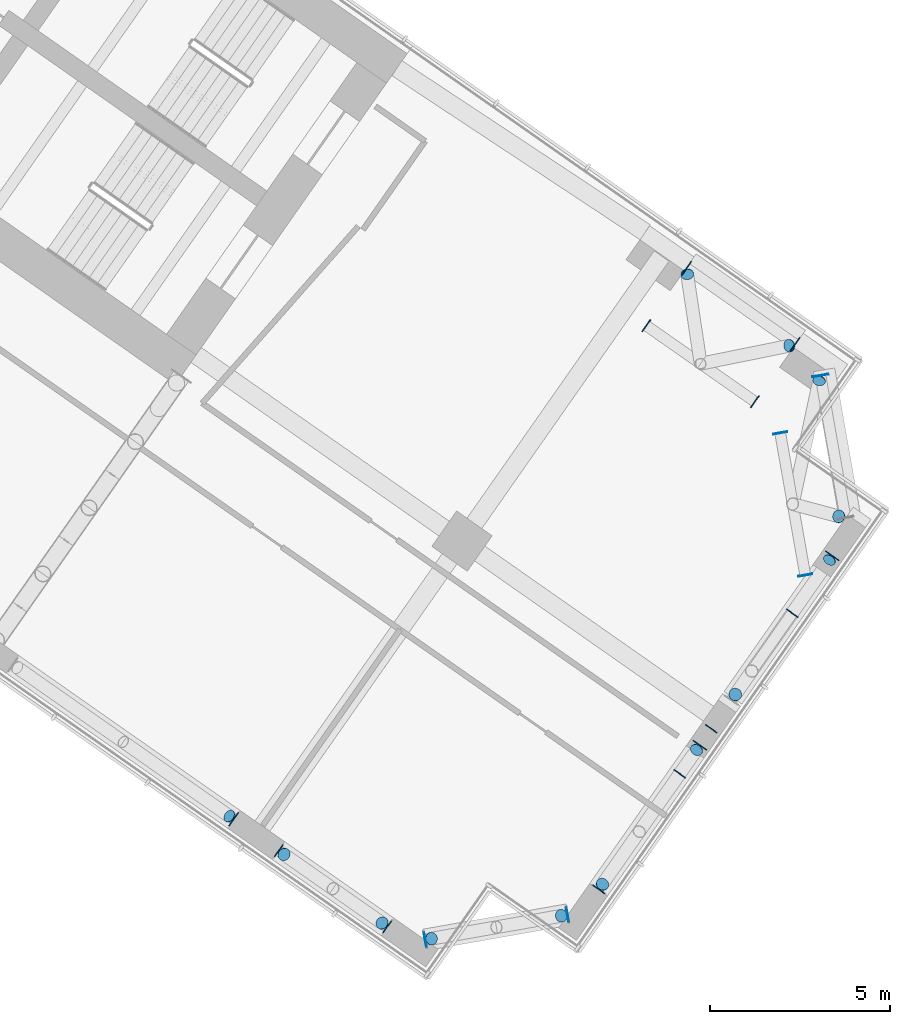
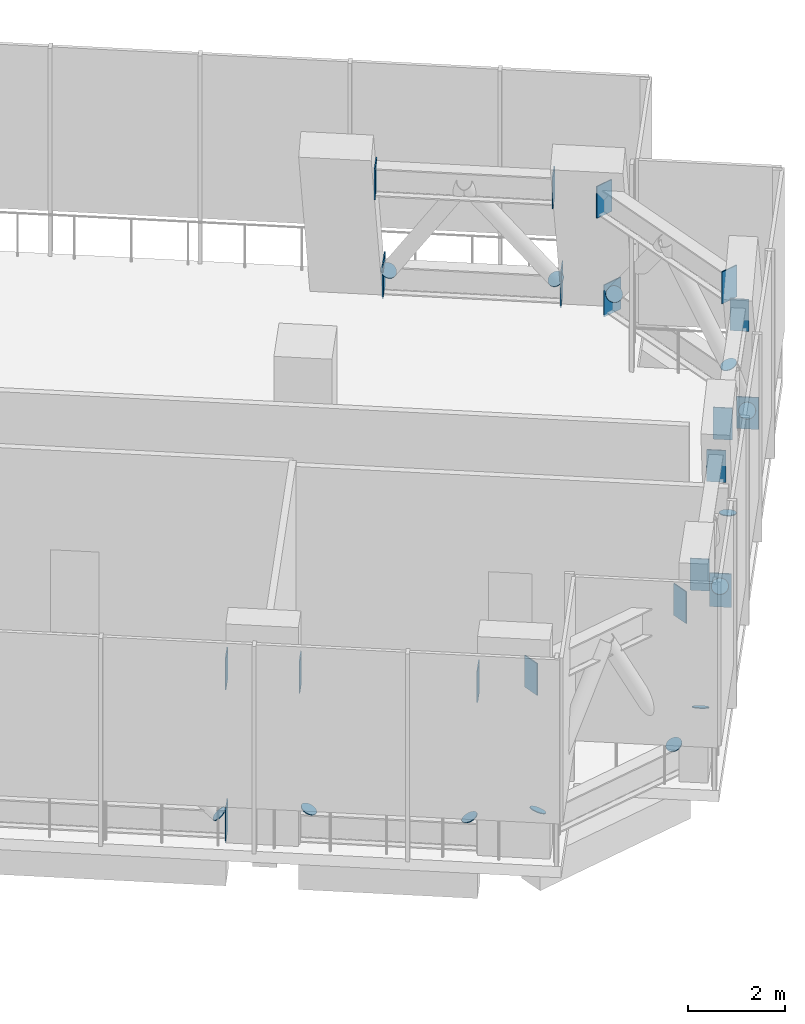
# One storey, part 15 of 24: 32 discrete accessories.
"""IFC4 building model written with IfcOpenShell, lengths in metres."""

import ifcopenshell
import ifcopenshell.guid

model = None  # the IFC model being written
_history = None  # IfcOwnerHistory: only IFC2X3 demands one
_inside = {}  # id of a spatial element -> (the spatial element, [elements in it])
_under = {}  # id of a project, library or spatial element -> (it, [spatial elements below it])
_declared = {}  # id of a project -> (the project, [libraries it declares])
_typed = {}  # id of a type object -> (the type object, [elements of that type])
_made_of = {}  # id of a material, layer set ... -> (it, [elements and type objects made of it])


def new_model(schema):
    """Start an empty IFC model of exactly this schema.

    Asked for "IFC4X3", IfcOpenShell would pick the latest addendum, in which some entities
    have other attributes; the version numbers below select the first issue.
    IFC2X3 requires an IfcOwnerHistory on every rooted entity: one is made here for all.
    """
    global model, _history
    if schema == "IFC4X3":
        model = ifcopenshell.file(schema_version=(4, 3, 0, 0))
    else:
        model = ifcopenshell.file(schema=schema)
    _inside.clear()
    _under.clear()
    _declared.clear()
    _typed.clear()
    _made_of.clear()
    _history = None
    if model.schema == "IFC2X3":
        org = make("IfcOrganization", Name="unknown")
        user = make(
            "IfcPersonAndOrganization",
            ThePerson=make("IfcPerson", FamilyName="unknown"),
            TheOrganization=org,
        )
        app = make(
            "IfcApplication",
            ApplicationDeveloper=org,
            Version="unknown",
            ApplicationFullName="unknown",
            ApplicationIdentifier="unknown",
        )
        _history = make(
            "IfcOwnerHistory",
            OwningUser=user,
            OwningApplication=app,
            ChangeAction="ADDED",
            CreationDate=0,
        )
    return model


def make(cls, **values):
    """One entity of the class cls with the attributes given. An attribute that is None is left unset."""
    return model.create_entity(
        cls, **{name: value for name, value in values.items() if value is not None}
    )


def rooted(cls, **values):
    """An entity with a GlobalId (a new one), such as an element, a storey or a relation."""
    return make(cls, GlobalId=ifcopenshell.guid.new(), OwnerHistory=_history, **values)


def si_unit(unit_type, name, prefix=None):
    """IfcSIUnit, for example si_unit("LENGTHUNIT", "METRE", prefix="MILLI")."""
    return make("IfcSIUnit", UnitType=unit_type, Prefix=prefix, Name=name)


def assignment(units):
    """IfcUnitAssignment: the units of a project."""
    return None if units is None else make("IfcUnitAssignment", Units=units)


def point(xyz):
    """IfcCartesianPoint."""
    return None if xyz is None else make("IfcCartesianPoint", Coordinates=xyz)


def direction(xyz):
    """IfcDirection."""
    return None if xyz is None else make("IfcDirection", DirectionRatios=xyz)


def frame(location, z_axis=None, x_axis=None):
    """IfcAxis2Placement3D, a coordinate frame: its origin and axes. An axis left out is left unset."""
    return make(
        "IfcAxis2Placement3D",
        Location=point(location),
        Axis=direction(z_axis),
        RefDirection=direction(x_axis),
    )


def frame_2d(location, x_axis=None):
    """IfcAxis2Placement2D, a coordinate frame in the plane: its origin and x axis."""
    return make(
        "IfcAxis2Placement2D", Location=point(location), RefDirection=direction(x_axis)
    )


def origin():
    """The frame at (0, 0, 0) with its axes left unset."""
    return frame((0.0, 0.0, 0.0))


def origin_2d():
    """The frame at (0, 0) in the plane with its x axis left unset."""
    return frame_2d((0.0, 0.0))


def place(relative_to, where):
    """IfcLocalPlacement: puts the frame where relative to a parent placement (None: the world)."""
    return make(
        "IfcLocalPlacement", PlacementRelTo=relative_to, RelativePlacement=where
    )


def context(
    kind, dimensions, precision=None, world=None, true_north=None, identifier=None
):
    """IfcGeometricRepresentationContext, for example the 3D "Model" context."""
    return make(
        "IfcGeometricRepresentationContext",
        ContextIdentifier=identifier,
        ContextType=kind,
        CoordinateSpaceDimension=dimensions,
        Precision=precision,
        WorldCoordinateSystem=world,
        TrueNorth=true_north,
    )


def subcontext(parent, identifier, kind, view, scale=None):
    """IfcGeometricRepresentationSubContext, for example "Body" below "Model"."""
    return make(
        "IfcGeometricRepresentationSubContext",
        ContextIdentifier=identifier,
        ContextType=kind,
        ParentContext=parent,
        TargetScale=scale,
        TargetView=view,
    )


def project(units=None, contexts=None):
    """IfcProject with its units and contexts."""
    return rooted(
        "IfcProject",
        Name="project",
        RepresentationContexts=contexts,
        UnitsInContext=assignment(units),
    )


def spatial(cls, under=None, at=None, **own):
    """A site, building, storey or space (cls), placed at a placement, below another one or the project."""
    s = rooted(cls, ObjectPlacement=at, **own)
    if under is not None:
        _under.setdefault(under.id(), (under, []))[1].append(s)
    return s


def profile(cls, at=None, kind="AREA", **sizes):
    """A parametric profile (cls). Its sizes go by their IFC names, for example OverallWidth=200.0."""
    return make(cls, ProfileType=kind, Position=at, **sizes)


def rectangle(**sizes):
    """IfcRectangleProfileDef."""
    return profile("IfcRectangleProfileDef", **sizes)


def circle(**sizes):
    """IfcCircleProfileDef."""
    return profile("IfcCircleProfileDef", **sizes)


def extrude(swept, where, along, depth):
    """IfcExtrudedAreaSolid: the profile swept, set in the frame where, extruded along a direction by depth."""
    return make(
        "IfcExtrudedAreaSolid",
        SweptArea=swept,
        Position=where,
        ExtrudedDirection=direction(along),
        Depth=depth,
    )


def shape(context_of_items, identifier, shape_type, items):
    """IfcShapeRepresentation: the items that make up one representation, for example the "Body"."""
    return make(
        "IfcShapeRepresentation",
        ContextOfItems=context_of_items,
        RepresentationIdentifier=identifier,
        RepresentationType=shape_type,
        Items=items,
    )


def material(Name=None, Category=None):
    """IfcMaterial."""
    return make("IfcMaterial", Name=Name, Category=Category)


def layer(
    of_material, thickness, ventilated=None, Name=None, Category=None, Priority=None
):
    """IfcMaterialLayer: one layer of a wall or slab, of a material (None: an air gap)."""
    return make(
        "IfcMaterialLayer",
        Material=of_material,
        LayerThickness=thickness,
        IsVentilated=ventilated,
        Name=Name,
        Category=Category,
        Priority=Priority,
    )


def layer_set(layers, Name=None):
    """IfcMaterialLayerSet."""
    return make("IfcMaterialLayerSet", MaterialLayers=layers, LayerSetName=Name)


def material_profile(
    of_material, cross_section, Name=None, Category=None, Priority=None
):
    """IfcMaterialProfile: a cross section and its material."""
    return make(
        "IfcMaterialProfile",
        Name=Name,
        Material=of_material,
        Profile=cross_section,
        Priority=Priority,
        Category=Category,
    )


def profile_set(profiles, Name=None, composite=None):
    """IfcMaterialProfileSet."""
    return make(
        "IfcMaterialProfileSet",
        Name=Name,
        MaterialProfiles=profiles,
        CompositeProfile=composite,
    )


def made_of(thing, what):
    """Note that an element or type object is made of a material, layer set ...; save() writes the relation."""
    if what is not None:
        _made_of.setdefault(what.id(), (what, []))[1].append(thing)
    return thing


def type_object(cls, material=None, **own):
    """A type object (cls), such as IfcWallType, which elements share."""
    return made_of(rooted(cls, **own), material)


def element(
    cls,
    number,
    at=None,
    inside=None,
    cuts=None,
    type_object=None,
    material=None,
    context=None,
    identifier="Body",
    shape_type=None,
    held_by="IfcProductDefinitionShape",
    body=None,
    shapes=None,
    **own,
):
    """One element of the class cls, such as IfcWall. Its Tag is "e" and its number.

    at: its placement. inside: the storey or other place that contains it. cuts: it is an
    opening in that element (IfcRelVoidsElement). A single representation is given by context,
    identifier, shape_type and body (its items); several are given by shapes. held_by: the class
    of the entity that holds the representations. save() writes the other relations.
    """
    e = rooted(cls, Tag="e%d" % number, ObjectPlacement=at, **own)
    if body is not None:
        shapes = [shape(context, identifier, shape_type, body)]
    if shapes is not None:
        e.Representation = make(held_by, Representations=shapes)
    if inside is not None:
        _inside.setdefault(inside.id(), (inside, []))[1].append(e)
    if cuts is not None:
        rooted(
            "IfcRelVoidsElement", RelatingBuildingElement=cuts, RelatedOpeningElement=e
        )
    if type_object is not None:
        _typed.setdefault(type_object.id(), (type_object, []))[1].append(e)
    return made_of(e, material)


def aggregate(whole, parts):
    """IfcRelAggregates: a whole, such as a stair, and the parts it consists of."""
    return rooted("IfcRelAggregates", RelatingObject=whole, RelatedObjects=parts)


def save(model, path):
    """Write the relations noted so far, then the file.

    IfcRelAggregates (storeys below a building ...), IfcRelContainedInSpatialStructure (elements
    in a storey), IfcRelDefinesByType, IfcRelAssociatesMaterial and IfcRelDeclares: one each for
    every whole, place, type object, material and project.
    """
    for whole, parts in _under.values():
        aggregate(whole, parts)
    for where, things in _inside.values():
        rooted(
            "IfcRelContainedInSpatialStructure",
            RelatedElements=things,
            RelatingStructure=where,
        )
    for kind, things in _typed.values():
        rooted("IfcRelDefinesByType", RelatedObjects=things, RelatingType=kind)
    for what, things in _made_of.values():
        rooted("IfcRelAssociatesMaterial", RelatedObjects=things, RelatingMaterial=what)
    for by, libraries in _declared.values():
        rooted("IfcRelDeclares", RelatingContext=by, RelatedDefinitions=libraries)
    model.write(path)


model = new_model("IFC4")

# Units and contexts
model_context = context("Model", 3, precision=1e-05, world=origin(), true_north=direction((0.0, 1.0)))
body_context = subcontext(model_context, "Body", "Model", "MODEL_VIEW")
ifc_project = project(units=[si_unit("LENGTHUNIT", "METRE"), si_unit("AREAUNIT", "SQUARE_METRE"), si_unit("VOLUMEUNIT", "CUBIC_METRE"), si_unit("PLANEANGLEUNIT", "RADIAN"), si_unit("MASSUNIT", "GRAM", prefix="KILO")], contexts=[model_context])

# Site, building, storey
site_placement = place(None, origin())
site = spatial("IfcSite", under=ifc_project, at=site_placement, CompositionType="ELEMENT")
building_placement = place(site_placement, origin())
building = spatial("IfcBuilding", under=site, at=building_placement, Name="Tel Ilan Convention Tower", CompositionType="ELEMENT")
storey_placement = place(building_placement, frame((0.0, 0.0, 126.5)))
storey = spatial("IfcBuildingStorey", under=building, at=storey_placement, Name="L28", CompositionType="ELEMENT", Elevation=126.5)

# Discrete accessories
ifc_material_1 = material(Name="Steel S355", Category="steel")
ifc_material_profile = material_profile(ifc_material_1, circle(Radius=0.177734375, at=origin_2d()), Name="End Cap Disc 356 mm Steel S355")
ifc_profile_set = profile_set([ifc_material_profile], Name="Steel S355")
discrete_accessory_type_1 = type_object("IfcDiscreteAccessoryType", Name="End Cap Disc 356 mm Steel S355", PredefinedType="BRACKET", material=ifc_profile_set)
discrete_accessory_1_placement = place(storey_placement, frame((23.031982421875, -28.27392578125, 0.51904296875), z_axis=(0.578943888131, -0.39802392309, -0.71161852916), x_axis=(0.566528822887, 0.824041924199, 0.0)))
element("IfcDiscreteAccessory", 1, at=discrete_accessory_1_placement, inside=storey, type_object=discrete_accessory_type_1, Name="L28 E-F3-E-F4 belt end cap", PredefinedType="BRACKET", context=body_context, shape_type="SweptSolid", body=[
    extrude(circle(Radius=0.177734375, at=origin_2d()), origin(), (0.0, 0.0, 1.0), 0.020263671875),
])
discrete_accessory_2_placement = place(storey_placement, frame((24.555419921875, -29.340576171875, 0.75), z_axis=(-0.353842768022, 0.244029495187, -0.902909132193), x_axis=(-0.567732955804, -0.823212785915, 0.0)))
element("IfcDiscreteAccessory", 2, at=discrete_accessory_2_placement, inside=storey, type_object=discrete_accessory_type_1, Name="L28 E-F4-E-FC belt end cap", PredefinedType="BRACKET", context=body_context, shape_type="SweptSolid", body=[
    extrude(circle(Radius=0.177734375, at=origin_2d()), origin(), (0.0, 0.0, 1.0), 0.02001953125),
])
discrete_accessory_3_placement = place(storey_placement, frame((27.268798828125, -31.240478515625, 0.75), z_axis=(0.363349534149, -0.254344673905, -0.896262184235), x_axis=(0.573462344363, 0.819231920519, 0.0)))
element("IfcDiscreteAccessory", 3, at=discrete_accessory_3_placement, inside=storey, type_object=discrete_accessory_type_1, Name="L28 E-F4-E-FC belt end cap", PredefinedType="BRACKET", context=body_context, shape_type="SweptSolid", body=[
    extrude(circle(Radius=0.177734375, at=origin_2d()), origin(), (0.0, 0.0, 1.0), 0.020263671875),
])
for number, where, z_axis, x_axis, name in (
    (4, (28.6484375, -31.675048828125, 0.713134765625), (-0.455818523796, -0.073916517372, -0.886998208467), (0.160071158554, -0.987105477748, 0.0), "L28 E-FC-E-E1 belt end cap"),
    (5, (32.240478515625, -31.04150390625, 0.713134765625), (0.455818523796, 0.073916517372, -0.886998208467), (-0.160071158554, 0.987105477748, 0.0), "L28 E-FC-E-E1 belt end cap"),
):
    element("IfcDiscreteAccessory", number, at=place(storey_placement, frame(where, z_axis=z_axis, x_axis=x_axis)), inside=storey, type_object=discrete_accessory_type_1, Name=name, PredefinedType="BRACKET", context=body_context, shape_type="SweptSolid", body=[
        extrude(circle(Radius=0.177734375, at=origin_2d()), origin(), (0.0, 0.0, 1.0), 0.019775390625),
    ])
for number, where, z_axis, x_axis, name in (
    (6, (33.38720703125, -30.162841796875, 0.722900390625), (-0.25596436017, -0.377852150727, -0.889780871066), (0.827918690488, -0.56084814517, 0.0), "L28 E-E1-E-E2 belt end cap"),
    (7, (35.99169921875, -26.443359375, 0.581298828125), (0.353055224717, 0.499147041841, -0.79133067609), (-0.816415639507, 0.577464720627, 0.0), "L28 E-E1-E-E2 belt end cap"),
):
    element("IfcDiscreteAccessory", number, at=place(storey_placement, frame(where, z_axis=z_axis, x_axis=x_axis)), inside=storey, type_object=discrete_accessory_type_1, Name=name, PredefinedType="BRACKET", context=body_context, shape_type="SweptSolid", body=[
        extrude(circle(Radius=0.177734375, at=origin_2d()), origin(), (0.0, 0.0, 1.0), 0.02001953125),
    ])
discrete_accessory_4_placement = place(storey_placement, frame((37.070068359375, -24.9033203125, 1.12451171875), z_axis=(-0.145169551702, -0.205656864911, -0.967797011348), x_axis=(0.816967863265, -0.576683197599, 0.0)))
element("IfcDiscreteAccessory", 8, at=discrete_accessory_4_placement, inside=storey, type_object=discrete_accessory_type_1, Name="L28 E-E2-E-E3 belt end cap", PredefinedType="BRACKET", context=body_context, shape_type="SweptSolid", body=[
    extrude(circle(Radius=0.177734375, at=origin_2d()), origin(), (0.0, 0.0, 1.0), 0.020263671875),
])
discrete_accessory_5_placement = place(storey_placement, frame((39.67724609375, -21.179931640625, 0.509521484375), z_axis=(0.404915595608, 0.588968139066, -0.699399665141), x_axis=(-0.824041924199, 0.566528822887, 0.0)))
element("IfcDiscreteAccessory", 9, at=discrete_accessory_5_placement, inside=storey, type_object=discrete_accessory_type_1, Name="L28 E-E2-E-E3 belt end cap", PredefinedType="BRACKET", context=body_context, shape_type="SweptSolid", body=[
    extrude(circle(Radius=0.177734375, at=origin_2d()), origin(), (0.0, 0.0, 1.0), 0.019775390625),
])
for number, where, z_axis, x_axis, name in (
    (10, (39.9365234375, -19.962890625, 0.84765625), (0.355193772836, -0.085736427926, -0.930852646054), (0.234640533104, 0.972082208573, 0.0), "L28 E-E3-E-BC belt end cap"),
    (11, (39.392578125, -16.2080078125, 0.524658203125), (0.147153441476, 0.674453273433, -0.723504420592), (-0.97701576141, 0.213167075217, 0.0), "L28 E-E3-E-BC belt end cap"),
    (12, (38.561279296875, -15.232666015625, 0.60888671875), (0.56176986751, 0.122123884241, -0.818230024416), (-0.212429644331, 0.977176363923, 0.0), "L28 E-BC-E-B4 belt end cap"),
    (13, (35.73583984375, -13.25439453125, 0.60888671875), (-0.085220226656, 0.572192950404, -0.815679312277), (-0.989090177882, -0.147311303089, 0.0), "L28 E-BC-E-B4 belt end cap"),
):
    element("IfcDiscreteAccessory", number, at=place(storey_placement, frame(where, z_axis=z_axis, x_axis=x_axis)), inside=storey, type_object=discrete_accessory_type_1, Name=name, PredefinedType="BRACKET", context=body_context, shape_type="SweptSolid", body=[
        extrude(circle(Radius=0.177734375, at=origin_2d()), origin(), (0.0, 0.0, 1.0), 0.02001953125),
    ])
ifc_material_2 = material(Name="Steel S355", Category="steel")
ifc_layer = layer(ifc_material_2, 0.02490234375)
ifc_layer_set = layer_set([ifc_layer], Name="End Plate 25 mm Steel S355")
discrete_accessory_type_2 = type_object("IfcDiscreteAccessoryType", Name="End Plate 25 mm Steel S355", PredefinedType="BRACKET", material=ifc_layer_set)
discrete_accessory_6_placement = place(storey_placement, frame((23.15771484375, -28.362060546875, -0.0498046875), z_axis=(0.0, 0.0, 1.0), x_axis=(0.819152044289, -0.573576436351, 0.0)))
element("IfcDiscreteAccessory", 14, at=discrete_accessory_6_placement, inside=storey, type_object=discrete_accessory_type_2, Name="L28 E-F3-E-F4 belt end plate", PredefinedType="BRACKET", context=body_context, shape_type="SweptSolid", body=[
    extrude(rectangle(XDim=0.02490234375, YDim=0.45556640625, at=origin_2d()), origin(), (0.0, 0.0, 1.0), 0.800048828125),
])
for number, where, z_axis, x_axis, name in (
    (15, (23.15771484375, -28.362060546875, 3.77001953125), (0.0, 0.0, 1.0), (0.819152044289, -0.573576436351, 0.0), "L28 E-F3-E-F4 belt end plate"),
    (16, (24.406982421875, -29.23681640625, 3.77001953125), (0.0, 0.0, 1.0), (-0.819152044289, 0.573576436351, 0.0), "L28 E-F4-E-FC belt end plate"),
    (17, (27.41748046875, -31.344482421875, 3.77001953125), (0.0, 0.0, 1.0), (0.819152044289, -0.573576436351, 0.0), "L28 E-F4-E-FC belt end plate"),
    (18, (28.47216796875, -31.7060546875, 3.77001953125), (0.0, 0.0, 1.0), (-0.984807753012, -0.173648177667, 0.0), "L28 E-FC-E-E1 belt end plate"),
    (19, (32.416748046875, -31.010498046875, 3.77001953125), (0.0, 0.0, 1.0), (0.984807753012, 0.173648177667, 0.0), "L28 E-FC-E-E1 belt end plate"),
    (20, (33.2841796875, -30.31005859375, 3.77001953125), (0.0, 0.0, 1.0), (-0.573576436351, -0.819152044289, 0.0), "L28 E-E1-E-E2 belt end plate"),
    (21, (35.529052734375, -27.104248046875, 3.77001953125), (0.0, 0.0, 1.0), (0.573576436351, 0.819152044289, 0.0), "L28 E-E1-E-E2 belt end plate"),
):
    element("IfcDiscreteAccessory", number, at=place(storey_placement, frame(where, z_axis=z_axis, x_axis=x_axis)), inside=storey, type_object=discrete_accessory_type_2, Name=name, PredefinedType="BRACKET", context=body_context, shape_type="SweptSolid", body=[
        extrude(rectangle(XDim=0.02490234375, YDim=0.39990234375, at=origin_2d()), origin(), (0.0, 0.0, 1.0), 0.800048828125),
    ])
discrete_accessory_7_placement = place(storey_placement, frame((36.086669921875, -26.307861328125, -0.050048828125), z_axis=(0.0, 0.0, 1.0), x_axis=(0.573576436351, 0.819152044289, 0.0)))
element("IfcDiscreteAccessory", 22, at=discrete_accessory_7_placement, inside=storey, type_object=discrete_accessory_type_2, Name="L28 E-E1-E-E2 belt end plate", PredefinedType="BRACKET", context=body_context, shape_type="SweptSolid", body=[
    extrude(rectangle(XDim=0.02490234375, YDim=0.45556640625, at=origin_2d()), origin(), (0.0, 0.0, 1.0), 0.84326171875),
])
for number, where, z_axis, x_axis, name in (
    (23, (36.40380859375, -25.85498046875, 3.77001953125), (0.0, 0.0, 1.0), (-0.573576436351, -0.819152044289, 0.0), "L28 E-E2-E-E3 belt end plate"),
    (24, (38.6484375, -22.6494140625, 3.77001953125), (0.0, 0.0, 1.0), (0.573576436351, 0.819152044289, 0.0), "L28 E-E2-E-E3 belt end plate"),
):
    element("IfcDiscreteAccessory", number, at=place(storey_placement, frame(where, z_axis=z_axis, x_axis=x_axis)), inside=storey, type_object=discrete_accessory_type_2, Name=name, PredefinedType="BRACKET", context=body_context, shape_type="SweptSolid", body=[
        extrude(rectangle(XDim=0.02490234375, YDim=0.39990234375, at=origin_2d()), origin(), (0.0, 0.0, 1.0), 0.800048828125),
    ])
discrete_accessory_8_placement = place(storey_placement, frame((39.763916015625, -21.056396484375, -0.0498046875), z_axis=(0.0, 0.0, 1.0), x_axis=(0.573576436351, 0.819152044289, 0.0)))
element("IfcDiscreteAccessory", 25, at=discrete_accessory_8_placement, inside=storey, type_object=discrete_accessory_type_2, Name="L28 E-E2-E-E3 belt end plate", PredefinedType="BRACKET", context=body_context, shape_type="SweptSolid", body=[
    extrude(rectangle(XDim=0.02490234375, YDim=0.45556640625, at=origin_2d()), origin(), (0.0, 0.0, 1.0), 0.800048828125),
])
for number, where, z_axis, x_axis, name in (
    (26, (38.314208984375, -17.64990234375, 3.77001953125), (0.0, 0.0, 1.0), (-0.173648177667, 0.984807753012, 0.0), "L28 E-E3-E-BC belt end plate"),
    (27, (39.010009765625, -21.594482421875, 3.77001953125), (0.0, 0.0, 1.0), (0.173648177667, -0.984807753012, 0.0), "L28 E-E3-E-BC belt end plate"),
):
    element("IfcDiscreteAccessory", number, at=place(storey_placement, frame(where, z_axis=z_axis, x_axis=x_axis)), inside=storey, type_object=discrete_accessory_type_2, Name=name, PredefinedType="BRACKET", context=body_context, shape_type="SweptSolid", body=[
        extrude(rectangle(XDim=0.02490234375, YDim=0.39990234375, at=origin_2d()), origin(), (0.0, 0.0, 1.0), 0.800048828125),
    ])
discrete_accessory_9_placement = place(storey_placement, frame((39.4296875, -16.056884765625, -0.0498046875), z_axis=(0.0, 0.0, 1.0), x_axis=(-0.173648177667, 0.984807753012, 0.0)))
element("IfcDiscreteAccessory", 28, at=discrete_accessory_9_placement, inside=storey, type_object=discrete_accessory_type_2, Name="L28 E-E3-E-BC belt end plate", PredefinedType="BRACKET", context=body_context, shape_type="SweptSolid", body=[
    extrude(rectangle(XDim=0.02490234375, YDim=0.45556640625, at=origin_2d()), origin(), (0.0, 0.0, 1.0), 0.800048828125),
])
discrete_accessory_10_placement = place(storey_placement, frame((34.603515625, -14.674560546875, 3.77001953125), z_axis=(0.0, 0.0, 1.0), x_axis=(-0.819152044289, 0.573576436351, 0.0)))
element("IfcDiscreteAccessory", 29, at=discrete_accessory_10_placement, inside=storey, type_object=discrete_accessory_type_2, Name="L28 E-BC-E-B4 belt end plate", PredefinedType="BRACKET", context=body_context, shape_type="SweptSolid", body=[
    extrude(rectangle(XDim=0.02490234375, YDim=0.39990234375, at=origin_2d()), origin(), (0.0, 0.0, 1.0), 0.800048828125),
])
discrete_accessory_11_placement = place(storey_placement, frame((35.718994140625, -13.08154296875, -0.0498046875), z_axis=(0.0, 0.0, 1.0), x_axis=(-0.819152044289, 0.573576436351, 0.0)))
element("IfcDiscreteAccessory", 30, at=discrete_accessory_11_placement, inside=storey, type_object=discrete_accessory_type_2, Name="L28 E-BC-E-B4 belt end plate", PredefinedType="BRACKET", context=body_context, shape_type="SweptSolid", body=[
    extrude(rectangle(XDim=0.02490234375, YDim=0.45556640625, at=origin_2d()), origin(), (0.0, 0.0, 1.0), 0.870361328125),
])
discrete_accessory_12_placement = place(storey_placement, frame((37.614013671875, -16.782470703125, 3.77001953125), z_axis=(0.0, 0.0, 1.0), x_axis=(0.819152044289, -0.573576436351, 0.0)))
element("IfcDiscreteAccessory", 31, at=discrete_accessory_12_placement, inside=storey, type_object=discrete_accessory_type_2, Name="L28 E-BC-E-B4 belt end plate", PredefinedType="BRACKET", context=body_context, shape_type="SweptSolid", body=[
    extrude(rectangle(XDim=0.02490234375, YDim=0.39990234375, at=origin_2d()), origin(), (0.0, 0.0, 1.0), 0.800048828125),
])
discrete_accessory_13_placement = place(storey_placement, frame((38.729248046875, -15.189453125, -0.0498046875), z_axis=(0.0, 0.0, 1.0), x_axis=(0.819152044289, -0.573576436351, 0.0)))
element("IfcDiscreteAccessory", 32, at=discrete_accessory_13_placement, inside=storey, type_object=discrete_accessory_type_2, Name="L28 E-BC-E-B4 belt end plate", PredefinedType="BRACKET", context=body_context, shape_type="SweptSolid", body=[
    extrude(rectangle(XDim=0.02490234375, YDim=0.45556640625, at=origin_2d()), origin(), (0.0, 0.0, 1.0), 0.870361328125),
])

save(model, "model.ifc")
